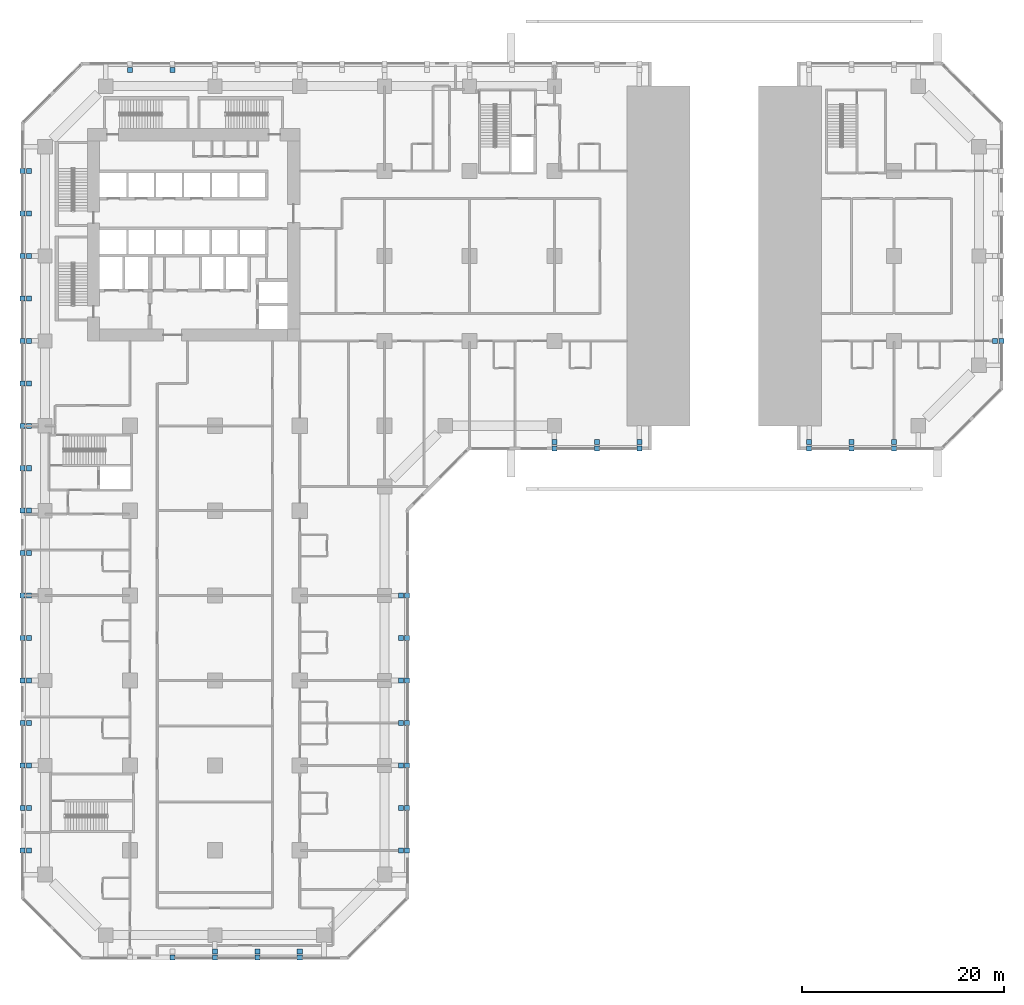
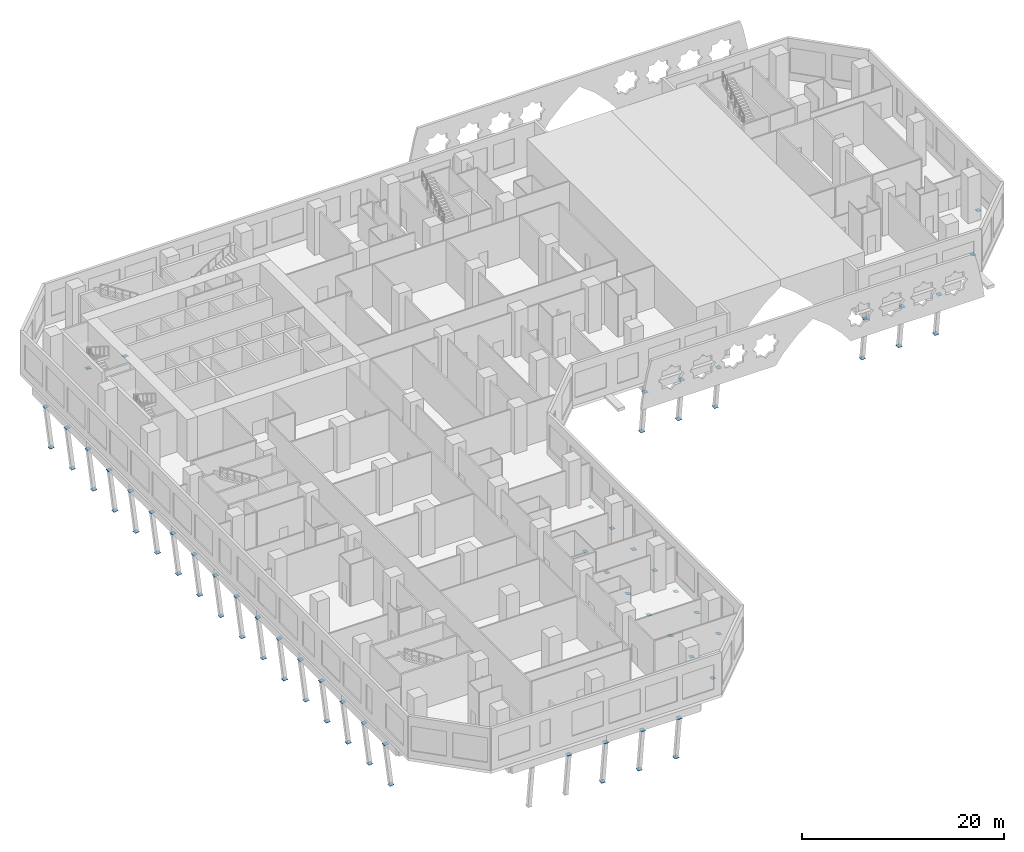
# One storey, part 16 of 24: 71 discrete accessories.
"""IFC4 building model written with IfcOpenShell, lengths in metres."""

from ifc_helpers import new_model, si_unit, direction, frame, origin, origin_2d, place, context, subcontext, project, spatial, rectangle, extrude, material, material_profile, profile_set, type_object, element, save


model = new_model("IFC4")

# Units and contexts
model_context = context("Model", 3, precision=1e-05, world=origin(), true_north=direction((0.0, 1.0)))
body_context = subcontext(model_context, "Body", "Model", "MODEL_VIEW")
ifc_project = project(units=[si_unit("LENGTHUNIT", "METRE"), si_unit("AREAUNIT", "SQUARE_METRE"), si_unit("VOLUMEUNIT", "CUBIC_METRE"), si_unit("PLANEANGLEUNIT", "RADIAN"), si_unit("MASSUNIT", "GRAM", prefix="KILO")], contexts=[model_context])

# Site, building, storey
site_placement = place(None, origin())
site = spatial("IfcSite", under=ifc_project, at=site_placement, CompositionType="ELEMENT")
building_placement = place(site_placement, origin())
building = spatial("IfcBuilding", under=site, at=building_placement, Name="Kawkab Arch Medical Tower", CompositionType="ELEMENT")
storey_placement = place(building_placement, frame((0.0, 0.0, 18.199951171875)))
storey = spatial("IfcBuildingStorey", under=building, at=storey_placement, Name="L04", CompositionType="ELEMENT", Elevation=18.199951171875)

# Discrete accessories
ifc_material = material(Name="Steel S355", Category="steel")
ifc_material_profile = material_profile(ifc_material, rectangle(XDim=0.5, YDim=0.5, at=origin_2d()), Name="End plate 500 x 20")
ifc_profile_set = profile_set([ifc_material_profile], Name="Steel S355")
discrete_accessory_type = type_object("IfcDiscreteAccessoryType", Name="End plate 500 x 20", PredefinedType="ANCHORPLATE", material=ifc_profile_set)
for number, where, z_axis, x_axis, name in (
    (1, (50.39990234375, -35.202392578125, -6.380126953125), (0.0, 0.122526572003, -0.992465233221), (-1.0, 0.0, 0.0), "End plate PRS1"),
    (2, (50.39990234375, -35.8291015625, -1.269775390625), (0.0, -0.122526572003, 0.992465233221), (1.0, 0.0, 0.0), "End plate PRS1"),
    (3, (54.60009765625, -35.202392578125, -6.380126953125), (0.0, 0.122526572003, -0.992465233221), (-1.0, 0.0, 0.0), "End plate PRS1"),
    (4, (54.60009765625, -35.8291015625, -1.269775390625), (0.0, -0.122526572003, 0.992465233221), (1.0, 0.0, 0.0), "End plate PRS1"),
    (5, (58.800048828125, -35.202392578125, -6.380126953125), (0.0, 0.122526572003, -0.992465233221), (-1.0, 0.0, 0.0), "End plate PRS1"),
    (6, (58.800048828125, -35.8291015625, -1.269775390625), (0.0, -0.122526572003, 0.992465233221), (1.0, 0.0, 0.0), "End plate PRS1"),
):
    element("IfcDiscreteAccessory", number, at=place(storey_placement, frame(where, z_axis=z_axis, x_axis=x_axis)), inside=storey, type_object=discrete_accessory_type, Name=name, PredefinedType="ANCHORPLATE", context=body_context, shape_type="SweptSolid", body=[
        extrude(rectangle(XDim=0.5, YDim=0.5, at=origin_2d()), origin(), (0.0, 0.0, 1.0), 0.02001953125),
    ])
for number, where, z_axis, x_axis, name in (
    (7, (8.39990234375, 1.602294921875, -6.380126953125), (0.0, -0.110431526075, -0.993883734674), (1.0, 0.0, 0.0), "End plate PRS1"),
    (8, (12.60009765625, 1.602294921875, -6.380126953125), (0.0, -0.110431526075, -0.993883734674), (1.0, 0.0, 0.0), "End plate PRS1"),
    (9, (-1.602294921875, -8.39990234375, -6.380126953125), (0.110431526075, 0.0, -0.993883734674), (0.0, 1.0, 0.0), "End plate PRS1"),
):
    element("IfcDiscreteAccessory", number, at=place(storey_placement, frame(where, z_axis=z_axis, x_axis=x_axis)), inside=storey, type_object=discrete_accessory_type, Name=name, PredefinedType="ANCHORPLATE", context=body_context, shape_type="SweptSolid", body=[
        extrude(rectangle(XDim=0.5, YDim=0.5, at=origin_2d()), origin(), (0.0, 0.0, 1.0), 0.019775390625),
    ])
discrete_accessory_1_placement = place(storey_placement, frame((-2.229248046875, -8.39990234375, -1.269775390625), z_axis=(-0.122526572003, 0.0, 0.992465233221), x_axis=(0.0, -1.0, 0.0)))
element("IfcDiscreteAccessory", 10, at=discrete_accessory_1_placement, inside=storey, type_object=discrete_accessory_type, Name="End plate PRS1", PredefinedType="ANCHORPLATE", context=body_context, shape_type="SweptSolid", body=[
    extrude(rectangle(XDim=0.5, YDim=0.5, at=origin_2d()), origin(), (0.0, 0.0, 1.0), 0.02001953125),
])
discrete_accessory_2_placement = place(storey_placement, frame((-1.602294921875, -12.60009765625, -6.380126953125), z_axis=(0.110431526075, 0.0, -0.993883734674), x_axis=(0.0, 1.0, 0.0)))
element("IfcDiscreteAccessory", 11, at=discrete_accessory_2_placement, inside=storey, type_object=discrete_accessory_type, Name="End plate PRS1", PredefinedType="ANCHORPLATE", context=body_context, shape_type="SweptSolid", body=[
    extrude(rectangle(XDim=0.5, YDim=0.5, at=origin_2d()), origin(), (0.0, 0.0, 1.0), 0.019775390625),
])
discrete_accessory_3_placement = place(storey_placement, frame((-2.229248046875, -12.60009765625, -1.269775390625), z_axis=(-0.122526572003, 0.0, 0.992465233221), x_axis=(0.0, -1.0, 0.0)))
element("IfcDiscreteAccessory", 12, at=discrete_accessory_3_placement, inside=storey, type_object=discrete_accessory_type, Name="End plate PRS1", PredefinedType="ANCHORPLATE", context=body_context, shape_type="SweptSolid", body=[
    extrude(rectangle(XDim=0.5, YDim=0.5, at=origin_2d()), origin(), (0.0, 0.0, 1.0), 0.02001953125),
])
discrete_accessory_4_placement = place(storey_placement, frame((-1.602294921875, -16.800048828125, -6.380126953125), z_axis=(0.110431526075, 0.0, -0.993883734674), x_axis=(0.0, 1.0, 0.0)))
element("IfcDiscreteAccessory", 13, at=discrete_accessory_4_placement, inside=storey, type_object=discrete_accessory_type, Name="End plate PRS1", PredefinedType="ANCHORPLATE", context=body_context, shape_type="SweptSolid", body=[
    extrude(rectangle(XDim=0.5, YDim=0.5, at=origin_2d()), origin(), (0.0, 0.0, 1.0), 0.019775390625),
])
discrete_accessory_5_placement = place(storey_placement, frame((-2.229248046875, -16.800048828125, -1.269775390625), z_axis=(-0.122526572003, 0.0, 0.992465233221), x_axis=(0.0, -1.0, 0.0)))
element("IfcDiscreteAccessory", 14, at=discrete_accessory_5_placement, inside=storey, type_object=discrete_accessory_type, Name="End plate PRS1", PredefinedType="ANCHORPLATE", context=body_context, shape_type="SweptSolid", body=[
    extrude(rectangle(XDim=0.5, YDim=0.5, at=origin_2d()), origin(), (0.0, 0.0, 1.0), 0.02001953125),
])
discrete_accessory_6_placement = place(storey_placement, frame((-1.602294921875, -21.0, -6.380126953125), z_axis=(0.110431526075, 0.0, -0.993883734674), x_axis=(0.0, 1.0, 0.0)))
element("IfcDiscreteAccessory", 15, at=discrete_accessory_6_placement, inside=storey, type_object=discrete_accessory_type, Name="End plate PRS1", PredefinedType="ANCHORPLATE", context=body_context, shape_type="SweptSolid", body=[
    extrude(rectangle(XDim=0.5, YDim=0.5, at=origin_2d()), origin(), (0.0, 0.0, 1.0), 0.019775390625),
])
discrete_accessory_7_placement = place(storey_placement, frame((-2.229248046875, -21.0, -1.269775390625), z_axis=(-0.122526572003, 0.0, 0.992465233221), x_axis=(0.0, -1.0, 0.0)))
element("IfcDiscreteAccessory", 16, at=discrete_accessory_7_placement, inside=storey, type_object=discrete_accessory_type, Name="End plate PRS1", PredefinedType="ANCHORPLATE", context=body_context, shape_type="SweptSolid", body=[
    extrude(rectangle(XDim=0.5, YDim=0.5, at=origin_2d()), origin(), (0.0, 0.0, 1.0), 0.02001953125),
])
discrete_accessory_8_placement = place(storey_placement, frame((-1.602294921875, -25.199951171875, -6.380126953125), z_axis=(0.110431526075, 0.0, -0.993883734674), x_axis=(0.0, 1.0, 0.0)))
element("IfcDiscreteAccessory", 17, at=discrete_accessory_8_placement, inside=storey, type_object=discrete_accessory_type, Name="End plate PRS1", PredefinedType="ANCHORPLATE", context=body_context, shape_type="SweptSolid", body=[
    extrude(rectangle(XDim=0.5, YDim=0.5, at=origin_2d()), origin(), (0.0, 0.0, 1.0), 0.019775390625),
])
discrete_accessory_9_placement = place(storey_placement, frame((-2.229248046875, -25.199951171875, -1.269775390625), z_axis=(-0.122526572003, 0.0, 0.992465233221), x_axis=(0.0, -1.0, 0.0)))
element("IfcDiscreteAccessory", 18, at=discrete_accessory_9_placement, inside=storey, type_object=discrete_accessory_type, Name="End plate PRS1", PredefinedType="ANCHORPLATE", context=body_context, shape_type="SweptSolid", body=[
    extrude(rectangle(XDim=0.5, YDim=0.5, at=origin_2d()), origin(), (0.0, 0.0, 1.0), 0.02001953125),
])
discrete_accessory_10_placement = place(storey_placement, frame((-1.602294921875, -29.39990234375, -6.380126953125), z_axis=(0.110431526075, 0.0, -0.993883734674), x_axis=(0.0, 1.0, 0.0)))
element("IfcDiscreteAccessory", 19, at=discrete_accessory_10_placement, inside=storey, type_object=discrete_accessory_type, Name="End plate PRS1", PredefinedType="ANCHORPLATE", context=body_context, shape_type="SweptSolid", body=[
    extrude(rectangle(XDim=0.5, YDim=0.5, at=origin_2d()), origin(), (0.0, 0.0, 1.0), 0.019775390625),
])
discrete_accessory_11_placement = place(storey_placement, frame((-2.229248046875, -29.39990234375, -1.269775390625), z_axis=(-0.122526572003, 0.0, 0.992465233221), x_axis=(0.0, -1.0, 0.0)))
element("IfcDiscreteAccessory", 20, at=discrete_accessory_11_placement, inside=storey, type_object=discrete_accessory_type, Name="End plate PRS1", PredefinedType="ANCHORPLATE", context=body_context, shape_type="SweptSolid", body=[
    extrude(rectangle(XDim=0.5, YDim=0.5, at=origin_2d()), origin(), (0.0, 0.0, 1.0), 0.02001953125),
])
discrete_accessory_12_placement = place(storey_placement, frame((-1.602294921875, -33.60009765625, -6.380126953125), z_axis=(0.110431526075, 0.0, -0.993883734674), x_axis=(0.0, 1.0, 0.0)))
element("IfcDiscreteAccessory", 21, at=discrete_accessory_12_placement, inside=storey, type_object=discrete_accessory_type, Name="End plate PRS1", PredefinedType="ANCHORPLATE", context=body_context, shape_type="SweptSolid", body=[
    extrude(rectangle(XDim=0.5, YDim=0.5, at=origin_2d()), origin(), (0.0, 0.0, 1.0), 0.019775390625),
])
discrete_accessory_13_placement = place(storey_placement, frame((-2.229248046875, -33.60009765625, -1.269775390625), z_axis=(-0.122526572003, 0.0, 0.992465233221), x_axis=(0.0, -1.0, 0.0)))
element("IfcDiscreteAccessory", 22, at=discrete_accessory_13_placement, inside=storey, type_object=discrete_accessory_type, Name="End plate PRS1", PredefinedType="ANCHORPLATE", context=body_context, shape_type="SweptSolid", body=[
    extrude(rectangle(XDim=0.5, YDim=0.5, at=origin_2d()), origin(), (0.0, 0.0, 1.0), 0.02001953125),
])
discrete_accessory_14_placement = place(storey_placement, frame((-1.602294921875, -37.800048828125, -6.380126953125), z_axis=(0.110431526075, 0.0, -0.993883734674), x_axis=(0.0, 1.0, 0.0)))
element("IfcDiscreteAccessory", 23, at=discrete_accessory_14_placement, inside=storey, type_object=discrete_accessory_type, Name="End plate PRS1", PredefinedType="ANCHORPLATE", context=body_context, shape_type="SweptSolid", body=[
    extrude(rectangle(XDim=0.5, YDim=0.5, at=origin_2d()), origin(), (0.0, 0.0, 1.0), 0.019775390625),
])
discrete_accessory_15_placement = place(storey_placement, frame((-2.229248046875, -37.800048828125, -1.269775390625), z_axis=(-0.122526572003, 0.0, 0.992465233221), x_axis=(0.0, -1.0, 0.0)))
element("IfcDiscreteAccessory", 24, at=discrete_accessory_15_placement, inside=storey, type_object=discrete_accessory_type, Name="End plate PRS1", PredefinedType="ANCHORPLATE", context=body_context, shape_type="SweptSolid", body=[
    extrude(rectangle(XDim=0.5, YDim=0.5, at=origin_2d()), origin(), (0.0, 0.0, 1.0), 0.02001953125),
])
discrete_accessory_16_placement = place(storey_placement, frame((-1.602294921875, -42.0, -6.380126953125), z_axis=(0.110431526075, 0.0, -0.993883734674), x_axis=(0.0, 1.0, 0.0)))
element("IfcDiscreteAccessory", 25, at=discrete_accessory_16_placement, inside=storey, type_object=discrete_accessory_type, Name="End plate PRS1", PredefinedType="ANCHORPLATE", context=body_context, shape_type="SweptSolid", body=[
    extrude(rectangle(XDim=0.5, YDim=0.5, at=origin_2d()), origin(), (0.0, 0.0, 1.0), 0.019775390625),
])
discrete_accessory_17_placement = place(storey_placement, frame((-2.229248046875, -42.0, -1.269775390625), z_axis=(-0.122526572003, 0.0, 0.992465233221), x_axis=(0.0, -1.0, 0.0)))
element("IfcDiscreteAccessory", 26, at=discrete_accessory_17_placement, inside=storey, type_object=discrete_accessory_type, Name="End plate PRS1", PredefinedType="ANCHORPLATE", context=body_context, shape_type="SweptSolid", body=[
    extrude(rectangle(XDim=0.5, YDim=0.5, at=origin_2d()), origin(), (0.0, 0.0, 1.0), 0.02001953125),
])
discrete_accessory_18_placement = place(storey_placement, frame((-1.602294921875, -46.199951171875, -6.380126953125), z_axis=(0.110431526075, 0.0, -0.993883734674), x_axis=(0.0, 1.0, 0.0)))
element("IfcDiscreteAccessory", 27, at=discrete_accessory_18_placement, inside=storey, type_object=discrete_accessory_type, Name="End plate PRS1", PredefinedType="ANCHORPLATE", context=body_context, shape_type="SweptSolid", body=[
    extrude(rectangle(XDim=0.5, YDim=0.5, at=origin_2d()), origin(), (0.0, 0.0, 1.0), 0.019775390625),
])
discrete_accessory_19_placement = place(storey_placement, frame((-2.229248046875, -46.199951171875, -1.269775390625), z_axis=(-0.122526572003, 0.0, 0.992465233221), x_axis=(0.0, -1.0, 0.0)))
element("IfcDiscreteAccessory", 28, at=discrete_accessory_19_placement, inside=storey, type_object=discrete_accessory_type, Name="End plate PRS1", PredefinedType="ANCHORPLATE", context=body_context, shape_type="SweptSolid", body=[
    extrude(rectangle(XDim=0.5, YDim=0.5, at=origin_2d()), origin(), (0.0, 0.0, 1.0), 0.02001953125),
])
discrete_accessory_20_placement = place(storey_placement, frame((-1.602294921875, -50.39990234375, -6.380126953125), z_axis=(0.110431526075, 0.0, -0.993883734674), x_axis=(0.0, 1.0, 0.0)))
element("IfcDiscreteAccessory", 29, at=discrete_accessory_20_placement, inside=storey, type_object=discrete_accessory_type, Name="End plate PRS1", PredefinedType="ANCHORPLATE", context=body_context, shape_type="SweptSolid", body=[
    extrude(rectangle(XDim=0.5, YDim=0.5, at=origin_2d()), origin(), (0.0, 0.0, 1.0), 0.019775390625),
])
discrete_accessory_21_placement = place(storey_placement, frame((-2.229248046875, -50.39990234375, -1.269775390625), z_axis=(-0.122526572003, 0.0, 0.992465233221), x_axis=(0.0, -1.0, 0.0)))
element("IfcDiscreteAccessory", 30, at=discrete_accessory_21_placement, inside=storey, type_object=discrete_accessory_type, Name="End plate PRS1", PredefinedType="ANCHORPLATE", context=body_context, shape_type="SweptSolid", body=[
    extrude(rectangle(XDim=0.5, YDim=0.5, at=origin_2d()), origin(), (0.0, 0.0, 1.0), 0.02001953125),
])
discrete_accessory_22_placement = place(storey_placement, frame((-1.602294921875, -54.60009765625, -6.380126953125), z_axis=(0.110431526075, 0.0, -0.993883734674), x_axis=(0.0, 1.0, 0.0)))
element("IfcDiscreteAccessory", 31, at=discrete_accessory_22_placement, inside=storey, type_object=discrete_accessory_type, Name="End plate PRS1", PredefinedType="ANCHORPLATE", context=body_context, shape_type="SweptSolid", body=[
    extrude(rectangle(XDim=0.5, YDim=0.5, at=origin_2d()), origin(), (0.0, 0.0, 1.0), 0.019775390625),
])
discrete_accessory_23_placement = place(storey_placement, frame((-2.229248046875, -54.60009765625, -1.269775390625), z_axis=(-0.122526572003, 0.0, 0.992465233221), x_axis=(0.0, -1.0, 0.0)))
element("IfcDiscreteAccessory", 32, at=discrete_accessory_23_placement, inside=storey, type_object=discrete_accessory_type, Name="End plate PRS1", PredefinedType="ANCHORPLATE", context=body_context, shape_type="SweptSolid", body=[
    extrude(rectangle(XDim=0.5, YDim=0.5, at=origin_2d()), origin(), (0.0, 0.0, 1.0), 0.02001953125),
])
discrete_accessory_24_placement = place(storey_placement, frame((-1.602294921875, -58.800048828125, -6.380126953125), z_axis=(0.110431526075, 0.0, -0.993883734674), x_axis=(0.0, 1.0, 0.0)))
element("IfcDiscreteAccessory", 33, at=discrete_accessory_24_placement, inside=storey, type_object=discrete_accessory_type, Name="End plate PRS1", PredefinedType="ANCHORPLATE", context=body_context, shape_type="SweptSolid", body=[
    extrude(rectangle(XDim=0.5, YDim=0.5, at=origin_2d()), origin(), (0.0, 0.0, 1.0), 0.019775390625),
])
discrete_accessory_25_placement = place(storey_placement, frame((-2.229248046875, -58.800048828125, -1.269775390625), z_axis=(-0.122526572003, 0.0, 0.992465233221), x_axis=(0.0, -1.0, 0.0)))
element("IfcDiscreteAccessory", 34, at=discrete_accessory_25_placement, inside=storey, type_object=discrete_accessory_type, Name="End plate PRS1", PredefinedType="ANCHORPLATE", context=body_context, shape_type="SweptSolid", body=[
    extrude(rectangle(XDim=0.5, YDim=0.5, at=origin_2d()), origin(), (0.0, 0.0, 1.0), 0.02001953125),
])
discrete_accessory_26_placement = place(storey_placement, frame((-1.602294921875, -63.0, -6.380126953125), z_axis=(0.110431526075, 0.0, -0.993883734674), x_axis=(0.0, 1.0, 0.0)))
element("IfcDiscreteAccessory", 35, at=discrete_accessory_26_placement, inside=storey, type_object=discrete_accessory_type, Name="End plate PRS1", PredefinedType="ANCHORPLATE", context=body_context, shape_type="SweptSolid", body=[
    extrude(rectangle(XDim=0.5, YDim=0.5, at=origin_2d()), origin(), (0.0, 0.0, 1.0), 0.019775390625),
])
discrete_accessory_27_placement = place(storey_placement, frame((-2.229248046875, -63.0, -1.269775390625), z_axis=(-0.122526572003, 0.0, 0.992465233221), x_axis=(0.0, -1.0, 0.0)))
element("IfcDiscreteAccessory", 36, at=discrete_accessory_27_placement, inside=storey, type_object=discrete_accessory_type, Name="End plate PRS1", PredefinedType="ANCHORPLATE", context=body_context, shape_type="SweptSolid", body=[
    extrude(rectangle(XDim=0.5, YDim=0.5, at=origin_2d()), origin(), (0.0, 0.0, 1.0), 0.02001953125),
])
discrete_accessory_28_placement = place(storey_placement, frame((-1.602294921875, -67.199951171875, -6.380126953125), z_axis=(0.110431526075, 0.0, -0.993883734674), x_axis=(0.0, 1.0, 0.0)))
element("IfcDiscreteAccessory", 37, at=discrete_accessory_28_placement, inside=storey, type_object=discrete_accessory_type, Name="End plate PRS1", PredefinedType="ANCHORPLATE", context=body_context, shape_type="SweptSolid", body=[
    extrude(rectangle(XDim=0.5, YDim=0.5, at=origin_2d()), origin(), (0.0, 0.0, 1.0), 0.019775390625),
])
discrete_accessory_29_placement = place(storey_placement, frame((-2.229248046875, -67.199951171875, -1.269775390625), z_axis=(-0.122526572003, 0.0, 0.992465233221), x_axis=(0.0, -1.0, 0.0)))
element("IfcDiscreteAccessory", 38, at=discrete_accessory_29_placement, inside=storey, type_object=discrete_accessory_type, Name="End plate PRS1", PredefinedType="ANCHORPLATE", context=body_context, shape_type="SweptSolid", body=[
    extrude(rectangle(XDim=0.5, YDim=0.5, at=origin_2d()), origin(), (0.0, 0.0, 1.0), 0.02001953125),
])
discrete_accessory_30_placement = place(storey_placement, frame((-1.602294921875, -71.39990234375, -6.380126953125), z_axis=(0.110431526075, 0.0, -0.993883734674), x_axis=(0.0, 1.0, 0.0)))
element("IfcDiscreteAccessory", 39, at=discrete_accessory_30_placement, inside=storey, type_object=discrete_accessory_type, Name="End plate PRS1", PredefinedType="ANCHORPLATE", context=body_context, shape_type="SweptSolid", body=[
    extrude(rectangle(XDim=0.5, YDim=0.5, at=origin_2d()), origin(), (0.0, 0.0, 1.0), 0.019775390625),
])
discrete_accessory_31_placement = place(storey_placement, frame((-2.229248046875, -71.39990234375, -1.269775390625), z_axis=(-0.122526572003, 0.0, 0.992465233221), x_axis=(0.0, -1.0, 0.0)))
element("IfcDiscreteAccessory", 40, at=discrete_accessory_31_placement, inside=storey, type_object=discrete_accessory_type, Name="End plate PRS1", PredefinedType="ANCHORPLATE", context=body_context, shape_type="SweptSolid", body=[
    extrude(rectangle(XDim=0.5, YDim=0.5, at=origin_2d()), origin(), (0.0, 0.0, 1.0), 0.02001953125),
])
discrete_accessory_32_placement = place(storey_placement, frame((-1.602294921875, -75.60009765625, -6.380126953125), z_axis=(0.110431526075, 0.0, -0.993883734674), x_axis=(0.0, 1.0, 0.0)))
element("IfcDiscreteAccessory", 41, at=discrete_accessory_32_placement, inside=storey, type_object=discrete_accessory_type, Name="End plate PRS1", PredefinedType="ANCHORPLATE", context=body_context, shape_type="SweptSolid", body=[
    extrude(rectangle(XDim=0.5, YDim=0.5, at=origin_2d()), origin(), (0.0, 0.0, 1.0), 0.019775390625),
])
for number, where, z_axis, x_axis, name in (
    (42, (-2.229248046875, -75.60009765625, -1.269775390625), (-0.122526572003, 0.0, 0.992465233221), (0.0, -1.0, 0.0), "End plate PRS1"),
    (43, (12.60009765625, -86.229248046875, -1.269775390625), (0.0, -0.122526572003, 0.992465233221), (1.0, 0.0, 0.0), "End plate PRS1"),
):
    element("IfcDiscreteAccessory", number, at=place(storey_placement, frame(where, z_axis=z_axis, x_axis=x_axis)), inside=storey, type_object=discrete_accessory_type, Name=name, PredefinedType="ANCHORPLATE", context=body_context, shape_type="SweptSolid", body=[
        extrude(rectangle(XDim=0.5, YDim=0.5, at=origin_2d()), origin(), (0.0, 0.0, 1.0), 0.02001953125),
    ])
discrete_accessory_33_placement = place(storey_placement, frame((16.800048828125, -85.602294921875, -6.380126953125), z_axis=(0.0, 0.110431526075, -0.993883734674), x_axis=(-1.0, 0.0, 0.0)))
element("IfcDiscreteAccessory", 44, at=discrete_accessory_33_placement, inside=storey, type_object=discrete_accessory_type, Name="End plate PRS1", PredefinedType="ANCHORPLATE", context=body_context, shape_type="SweptSolid", body=[
    extrude(rectangle(XDim=0.5, YDim=0.5, at=origin_2d()), origin(), (0.0, 0.0, 1.0), 0.019775390625),
])
discrete_accessory_34_placement = place(storey_placement, frame((16.800048828125, -86.229248046875, -1.269775390625), z_axis=(0.0, -0.122526572003, 0.992465233221), x_axis=(1.0, 0.0, 0.0)))
element("IfcDiscreteAccessory", 45, at=discrete_accessory_34_placement, inside=storey, type_object=discrete_accessory_type, Name="End plate PRS1", PredefinedType="ANCHORPLATE", context=body_context, shape_type="SweptSolid", body=[
    extrude(rectangle(XDim=0.5, YDim=0.5, at=origin_2d()), origin(), (0.0, 0.0, 1.0), 0.02001953125),
])
discrete_accessory_35_placement = place(storey_placement, frame((21.0, -85.602294921875, -6.380126953125), z_axis=(0.0, 0.110431526075, -0.993883734674), x_axis=(-1.0, 0.0, 0.0)))
element("IfcDiscreteAccessory", 46, at=discrete_accessory_35_placement, inside=storey, type_object=discrete_accessory_type, Name="End plate PRS1", PredefinedType="ANCHORPLATE", context=body_context, shape_type="SweptSolid", body=[
    extrude(rectangle(XDim=0.5, YDim=0.5, at=origin_2d()), origin(), (0.0, 0.0, 1.0), 0.019775390625),
])
discrete_accessory_36_placement = place(storey_placement, frame((21.0, -86.229248046875, -1.269775390625), z_axis=(0.0, -0.122526572003, 0.992465233221), x_axis=(1.0, 0.0, 0.0)))
element("IfcDiscreteAccessory", 47, at=discrete_accessory_36_placement, inside=storey, type_object=discrete_accessory_type, Name="End plate PRS1", PredefinedType="ANCHORPLATE", context=body_context, shape_type="SweptSolid", body=[
    extrude(rectangle(XDim=0.5, YDim=0.5, at=origin_2d()), origin(), (0.0, 0.0, 1.0), 0.02001953125),
])
discrete_accessory_37_placement = place(storey_placement, frame((25.199951171875, -85.602294921875, -6.380126953125), z_axis=(0.0, 0.110431526075, -0.993883734674), x_axis=(-1.0, 0.0, 0.0)))
element("IfcDiscreteAccessory", 48, at=discrete_accessory_37_placement, inside=storey, type_object=discrete_accessory_type, Name="End plate PRS1", PredefinedType="ANCHORPLATE", context=body_context, shape_type="SweptSolid", body=[
    extrude(rectangle(XDim=0.5, YDim=0.5, at=origin_2d()), origin(), (0.0, 0.0, 1.0), 0.019775390625),
])
for number, where, z_axis, x_axis, name in (
    (49, (25.199951171875, -86.229248046875, -1.269775390625), (0.0, -0.122526572003, 0.992465233221), (1.0, 0.0, 0.0), "End plate PRS1"),
    (50, (35.202392578125, -50.39990234375, -6.380126953125), (-0.122526572003, 0.0, -0.992465233221), (0.0, -1.0, 0.0), "End plate PRS1"),
    (51, (35.8291015625, -50.39990234375, -1.269775390625), (0.122526572003, 0.0, 0.992465233221), (0.0, 1.0, 0.0), "End plate PRS1"),
    (52, (35.202392578125, -54.60009765625, -6.380126953125), (-0.122526572003, 0.0, -0.992465233221), (0.0, -1.0, 0.0), "End plate PRS1"),
    (53, (35.8291015625, -54.60009765625, -1.269775390625), (0.122526572003, 0.0, 0.992465233221), (0.0, 1.0, 0.0), "End plate PRS1"),
    (54, (35.202392578125, -58.800048828125, -6.380126953125), (-0.122526572003, 0.0, -0.992465233221), (0.0, -1.0, 0.0), "End plate PRS1"),
    (55, (35.8291015625, -58.800048828125, -1.269775390625), (0.122526572003, 0.0, 0.992465233221), (0.0, 1.0, 0.0), "End plate PRS1"),
    (56, (35.202392578125, -63.0, -6.380126953125), (-0.122526572003, 0.0, -0.992465233221), (0.0, -1.0, 0.0), "End plate PRS1"),
    (57, (35.8291015625, -63.0, -1.269775390625), (0.122526572003, 0.0, 0.992465233221), (0.0, 1.0, 0.0), "End plate PRS1"),
    (58, (35.202392578125, -67.199951171875, -6.380126953125), (-0.122526572003, 0.0, -0.992465233221), (0.0, -1.0, 0.0), "End plate PRS1"),
    (59, (35.8291015625, -67.199951171875, -1.269775390625), (0.122526572003, 0.0, 0.992465233221), (0.0, 1.0, 0.0), "End plate PRS1"),
    (60, (35.202392578125, -71.39990234375, -6.380126953125), (-0.122526572003, 0.0, -0.992465233221), (0.0, -1.0, 0.0), "End plate PRS1"),
    (61, (35.8291015625, -71.39990234375, -1.269775390625), (0.122526572003, 0.0, 0.992465233221), (0.0, 1.0, 0.0), "End plate PRS1"),
    (62, (35.202392578125, -75.60009765625, -6.380126953125), (-0.122526572003, 0.0, -0.992465233221), (0.0, -1.0, 0.0), "End plate PRS1"),
    (63, (35.8291015625, -75.60009765625, -1.269775390625), (0.122526572003, 0.0, 0.992465233221), (0.0, 1.0, 0.0), "End plate PRS1"),
    (64, (75.60009765625, -35.202392578125, -6.380126953125), (0.0, 0.122526572003, -0.992465233221), (-1.0, 0.0, 0.0), "End plate PRS1"),
    (65, (75.60009765625, -35.8291015625, -1.269775390625), (0.0, -0.122526572003, 0.992465233221), (1.0, 0.0, 0.0), "End plate PRS1"),
    (66, (79.800048828125, -35.202392578125, -6.380126953125), (0.0, 0.122526572003, -0.992465233221), (-1.0, 0.0, 0.0), "End plate PRS1"),
    (67, (79.800048828125, -35.8291015625, -1.269775390625), (0.0, -0.122526572003, 0.992465233221), (1.0, 0.0, 0.0), "End plate PRS1"),
    (68, (84.0, -35.202392578125, -6.380126953125), (0.0, 0.122526572003, -0.992465233221), (-1.0, 0.0, 0.0), "End plate PRS1"),
    (69, (84.0, -35.8291015625, -1.269775390625), (0.0, -0.122526572003, 0.992465233221), (1.0, 0.0, 0.0), "End plate PRS1"),
    (70, (94.00244140625, -25.199951171875, -6.380126953125), (-0.122526572003, 0.0, -0.992465233221), (0.0, -1.0, 0.0), "End plate PRS1"),
    (71, (94.629150390625, -25.199951171875, -1.269775390625), (0.122526572003, 0.0, 0.992465233221), (0.0, 1.0, 0.0), "End plate PRS1"),
):
    element("IfcDiscreteAccessory", number, at=place(storey_placement, frame(where, z_axis=z_axis, x_axis=x_axis)), inside=storey, type_object=discrete_accessory_type, Name=name, PredefinedType="ANCHORPLATE", context=body_context, shape_type="SweptSolid", body=[
        extrude(rectangle(XDim=0.5, YDim=0.5, at=origin_2d()), origin(), (0.0, 0.0, 1.0), 0.02001953125),
    ])

save(model, "model.ifc")
